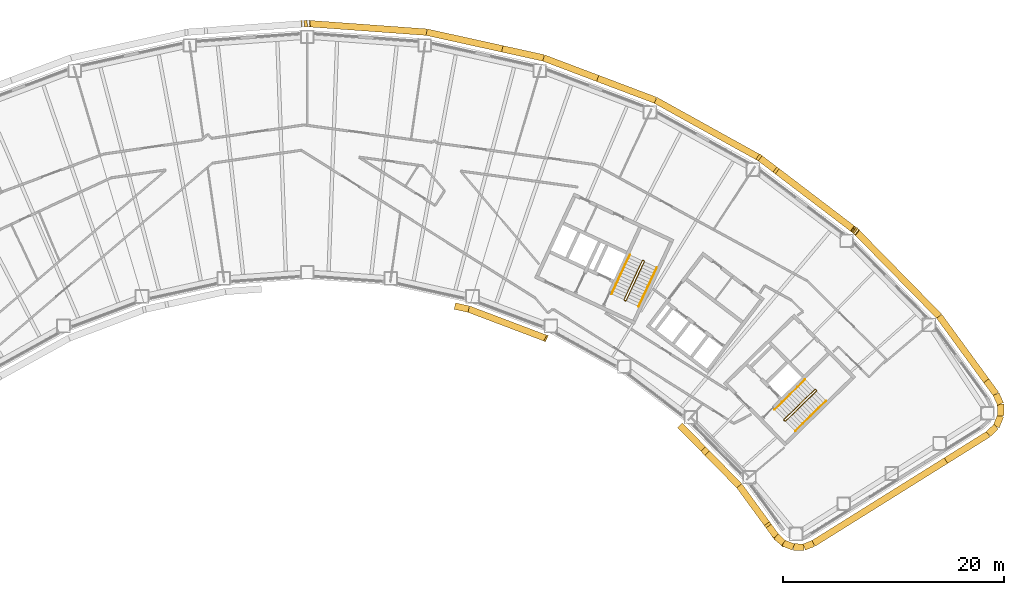
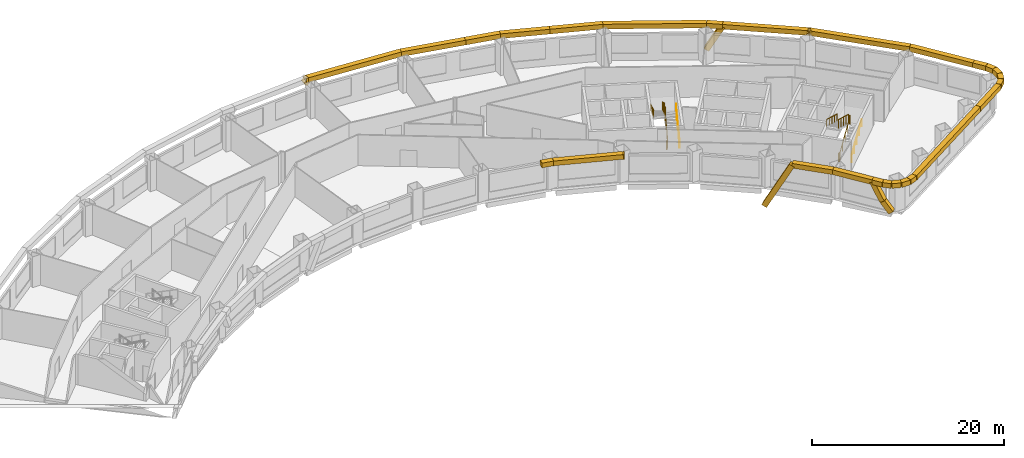
# One storey, part 10 of 10: 36 coverings, 6 railings.
"""IFC4 building model written with IfcOpenShell, lengths in metres."""

import ifcopenshell
import ifcopenshell.guid

model = None  # the IFC model being written
_history = None  # IfcOwnerHistory: only IFC2X3 demands one
_inside = {}  # id of a spatial element -> (the spatial element, [elements in it])
_under = {}  # id of a project, library or spatial element -> (it, [spatial elements below it])
_declared = {}  # id of a project -> (the project, [libraries it declares])
_typed = {}  # id of a type object -> (the type object, [elements of that type])
_made_of = {}  # id of a material, layer set ... -> (it, [elements and type objects made of it])


def new_model(schema):
    """Start an empty IFC model of exactly this schema.

    Asked for "IFC4X3", IfcOpenShell would pick the latest addendum, in which some entities
    have other attributes; the version numbers below select the first issue.
    IFC2X3 requires an IfcOwnerHistory on every rooted entity: one is made here for all.
    """
    global model, _history
    if schema == "IFC4X3":
        model = ifcopenshell.file(schema_version=(4, 3, 0, 0))
    else:
        model = ifcopenshell.file(schema=schema)
    _inside.clear()
    _under.clear()
    _declared.clear()
    _typed.clear()
    _made_of.clear()
    _history = None
    if model.schema == "IFC2X3":
        org = make("IfcOrganization", Name="unknown")
        user = make(
            "IfcPersonAndOrganization",
            ThePerson=make("IfcPerson", FamilyName="unknown"),
            TheOrganization=org,
        )
        app = make(
            "IfcApplication",
            ApplicationDeveloper=org,
            Version="unknown",
            ApplicationFullName="unknown",
            ApplicationIdentifier="unknown",
        )
        _history = make(
            "IfcOwnerHistory",
            OwningUser=user,
            OwningApplication=app,
            ChangeAction="ADDED",
            CreationDate=0,
        )
    return model


def make(cls, **values):
    """One entity of the class cls with the attributes given. An attribute that is None is left unset."""
    return model.create_entity(
        cls, **{name: value for name, value in values.items() if value is not None}
    )


def rooted(cls, **values):
    """An entity with a GlobalId (a new one), such as an element, a storey or a relation."""
    return make(cls, GlobalId=ifcopenshell.guid.new(), OwnerHistory=_history, **values)


def si_unit(unit_type, name, prefix=None):
    """IfcSIUnit, for example si_unit("LENGTHUNIT", "METRE", prefix="MILLI")."""
    return make("IfcSIUnit", UnitType=unit_type, Prefix=prefix, Name=name)


def assignment(units):
    """IfcUnitAssignment: the units of a project."""
    return None if units is None else make("IfcUnitAssignment", Units=units)


def point(xyz):
    """IfcCartesianPoint."""
    return None if xyz is None else make("IfcCartesianPoint", Coordinates=xyz)


def direction(xyz):
    """IfcDirection."""
    return None if xyz is None else make("IfcDirection", DirectionRatios=xyz)


def frame(location, z_axis=None, x_axis=None):
    """IfcAxis2Placement3D, a coordinate frame: its origin and axes. An axis left out is left unset."""
    return make(
        "IfcAxis2Placement3D",
        Location=point(location),
        Axis=direction(z_axis),
        RefDirection=direction(x_axis),
    )


def frame_2d(location, x_axis=None):
    """IfcAxis2Placement2D, a coordinate frame in the plane: its origin and x axis."""
    return make(
        "IfcAxis2Placement2D", Location=point(location), RefDirection=direction(x_axis)
    )


def origin():
    """The frame at (0, 0, 0) with its axes left unset."""
    return frame((0.0, 0.0, 0.0))


def origin_2d():
    """The frame at (0, 0) in the plane with its x axis left unset."""
    return frame_2d((0.0, 0.0))


def place(relative_to, where):
    """IfcLocalPlacement: puts the frame where relative to a parent placement (None: the world)."""
    return make(
        "IfcLocalPlacement", PlacementRelTo=relative_to, RelativePlacement=where
    )


def context(
    kind, dimensions, precision=None, world=None, true_north=None, identifier=None
):
    """IfcGeometricRepresentationContext, for example the 3D "Model" context."""
    return make(
        "IfcGeometricRepresentationContext",
        ContextIdentifier=identifier,
        ContextType=kind,
        CoordinateSpaceDimension=dimensions,
        Precision=precision,
        WorldCoordinateSystem=world,
        TrueNorth=true_north,
    )


def subcontext(parent, identifier, kind, view, scale=None):
    """IfcGeometricRepresentationSubContext, for example "Body" below "Model"."""
    return make(
        "IfcGeometricRepresentationSubContext",
        ContextIdentifier=identifier,
        ContextType=kind,
        ParentContext=parent,
        TargetScale=scale,
        TargetView=view,
    )


def project(units=None, contexts=None):
    """IfcProject with its units and contexts."""
    return rooted(
        "IfcProject",
        Name="project",
        RepresentationContexts=contexts,
        UnitsInContext=assignment(units),
    )


def spatial(cls, under=None, at=None, **own):
    """A site, building, storey or space (cls), placed at a placement, below another one or the project."""
    s = rooted(cls, ObjectPlacement=at, **own)
    if under is not None:
        _under.setdefault(under.id(), (under, []))[1].append(s)
    return s


def profile(cls, at=None, kind="AREA", **sizes):
    """A parametric profile (cls). Its sizes go by their IFC names, for example OverallWidth=200.0."""
    return make(cls, ProfileType=kind, Position=at, **sizes)


def rectangle(**sizes):
    """IfcRectangleProfileDef."""
    return profile("IfcRectangleProfileDef", **sizes)


def circle(**sizes):
    """IfcCircleProfileDef."""
    return profile("IfcCircleProfileDef", **sizes)


def extrude(swept, where, along, depth):
    """IfcExtrudedAreaSolid: the profile swept, set in the frame where, extruded along a direction by depth."""
    return make(
        "IfcExtrudedAreaSolid",
        SweptArea=swept,
        Position=where,
        ExtrudedDirection=direction(along),
        Depth=depth,
    )


def shape(context_of_items, identifier, shape_type, items):
    """IfcShapeRepresentation: the items that make up one representation, for example the "Body"."""
    return make(
        "IfcShapeRepresentation",
        ContextOfItems=context_of_items,
        RepresentationIdentifier=identifier,
        RepresentationType=shape_type,
        Items=items,
    )


def material(Name=None, Category=None):
    """IfcMaterial."""
    return make("IfcMaterial", Name=Name, Category=Category)


def material_profile(
    of_material, cross_section, Name=None, Category=None, Priority=None
):
    """IfcMaterialProfile: a cross section and its material."""
    return make(
        "IfcMaterialProfile",
        Name=Name,
        Material=of_material,
        Profile=cross_section,
        Priority=Priority,
        Category=Category,
    )


def profile_set(profiles, Name=None, composite=None):
    """IfcMaterialProfileSet."""
    return make(
        "IfcMaterialProfileSet",
        Name=Name,
        MaterialProfiles=profiles,
        CompositeProfile=composite,
    )


def made_of(thing, what):
    """Note that an element or type object is made of a material, layer set ...; save() writes the relation."""
    if what is not None:
        _made_of.setdefault(what.id(), (what, []))[1].append(thing)
    return thing


def type_object(cls, material=None, **own):
    """A type object (cls), such as IfcWallType, which elements share."""
    return made_of(rooted(cls, **own), material)


def element(
    cls,
    number,
    at=None,
    inside=None,
    cuts=None,
    type_object=None,
    material=None,
    context=None,
    identifier="Body",
    shape_type=None,
    held_by="IfcProductDefinitionShape",
    body=None,
    shapes=None,
    **own,
):
    """One element of the class cls, such as IfcWall. Its Tag is "e" and its number.

    at: its placement. inside: the storey or other place that contains it. cuts: it is an
    opening in that element (IfcRelVoidsElement). A single representation is given by context,
    identifier, shape_type and body (its items); several are given by shapes. held_by: the class
    of the entity that holds the representations. save() writes the other relations.
    """
    e = rooted(cls, Tag="e%d" % number, ObjectPlacement=at, **own)
    if body is not None:
        shapes = [shape(context, identifier, shape_type, body)]
    if shapes is not None:
        e.Representation = make(held_by, Representations=shapes)
    if inside is not None:
        _inside.setdefault(inside.id(), (inside, []))[1].append(e)
    if cuts is not None:
        rooted(
            "IfcRelVoidsElement", RelatingBuildingElement=cuts, RelatedOpeningElement=e
        )
    if type_object is not None:
        _typed.setdefault(type_object.id(), (type_object, []))[1].append(e)
    return made_of(e, material)


def aggregate(whole, parts):
    """IfcRelAggregates: a whole, such as a stair, and the parts it consists of."""
    return rooted("IfcRelAggregates", RelatingObject=whole, RelatedObjects=parts)


def save(model, path):
    """Write the relations noted so far, then the file.

    IfcRelAggregates (storeys below a building ...), IfcRelContainedInSpatialStructure (elements
    in a storey), IfcRelDefinesByType, IfcRelAssociatesMaterial and IfcRelDeclares: one each for
    every whole, place, type object, material and project.
    """
    for whole, parts in _under.values():
        aggregate(whole, parts)
    for where, things in _inside.values():
        rooted(
            "IfcRelContainedInSpatialStructure",
            RelatedElements=things,
            RelatingStructure=where,
        )
    for kind, things in _typed.values():
        rooted("IfcRelDefinesByType", RelatedObjects=things, RelatingType=kind)
    for what, things in _made_of.values():
        rooted("IfcRelAssociatesMaterial", RelatedObjects=things, RelatingMaterial=what)
    for by, libraries in _declared.values():
        rooted("IfcRelDeclares", RelatingContext=by, RelatedDefinitions=libraries)
    model.write(path)


model = new_model("IFC4")

# Units and contexts
model_context = context("Model", 3, precision=1e-05, world=origin(), true_north=direction((0.0, 1.0)))
body_context = subcontext(model_context, "Body", "Model", "MODEL_VIEW")
ifc_project = project(units=[si_unit("LENGTHUNIT", "METRE"), si_unit("AREAUNIT", "SQUARE_METRE"), si_unit("VOLUMEUNIT", "CUBIC_METRE"), si_unit("PLANEANGLEUNIT", "RADIAN"), si_unit("MASSUNIT", "GRAM", prefix="KILO")], contexts=[model_context])

# Site, building, storey
site_placement = place(None, origin())
site = spatial("IfcSite", under=ifc_project, at=site_placement, CompositionType="ELEMENT")
building_placement = place(site_placement, origin())
building = spatial("IfcBuilding", under=site, at=building_placement, Name="Tuul Gate Civic Tower", CompositionType="ELEMENT")
storey_placement = place(building_placement, frame((0.0, 0.0, 86.39990234375)))
storey = spatial("IfcBuildingStorey", under=building, at=storey_placement, Name="Level 19", CompositionType="ELEMENT", Elevation=86.39990234375)

# Railings
ifc_material_1 = material(Name="Painted steel", Category="steel")
railing_type_1 = type_object("IfcRailingType", Name="Stair guard", PredefinedType="GUARDRAIL", material=ifc_material_1)
railing_1_placement = place(storey_placement, frame((48.10546875, -16.134765625, 0.0)))
element("IfcRailing", 1, at=railing_1_placement, inside=storey, type_object=railing_type_1, Name="Level 19 ST-3 stair guard 1", PredefinedType="GUARDRAIL", context=body_context, shape_type="SweptSolid", body=[
    extrude(circle(Radius=0.02392578125, at=origin_2d()), frame((0.0, 0.0, 1.076171875), z_axis=(-0.698506948293, 0.715603272202, 0.0), x_axis=(-0.715603272202, -0.698506948293, 0.0)), (0.0, 0.0, 1.0), 0.099853515625),
    extrude(circle(Radius=0.02392578125, at=origin_2d()), frame((-0.06982421875, 0.071533203125, 1.076171875), z_axis=(0.644948864628, -0.331432055434, 0.688617277337), x_axis=(0.457068866502, 0.889431307788, 0.0)), (0.0, 0.0, 1.0), 0.218017578125),
    extrude(circle(Radius=0.02392578125, at=origin_2d()), frame((0.07080078125, -0.000732421875, 1.22607421875), z_axis=(0.638731261263, 0.626133563701, 0.447190268558), x_axis=(-0.700029477518, 0.714113947914, 0.0)), (0.0, 0.0, 1.0), 4.3603515625),
    extrude(circle(Radius=0.02392578125, at=origin_2d()), frame((2.85595703125, 2.7294921875, 3.17626953125), z_axis=(0.010380063588, 0.999946125689, 0.0), x_axis=(-0.999946125689, 0.010380063588, 0.0)), (0.0, 0.0, 1.0), 0.070556640625),
    extrude(circle(Radius=0.02392578125, at=origin_2d()), frame((2.856689453125, 2.800048828125, 3.17626953125), z_axis=(-0.699754442181, 0.714383454909, 0.0), x_axis=(-0.714383454909, -0.699754442181, 0.0)), (0.0, 0.0, 1.0), 0.10009765625),
    extrude(circle(Radius=0.02392578125, at=origin_2d()), frame((2.78662109375, 2.87158203125, 3.17626953125), z_axis=(-0.427069033481, 0.004417955519, 0.904208229508), x_axis=(-0.010344274102, -0.999946496565, 0.0)), (0.0, 0.0, 1.0), 0.165771484375),
    extrude(circle(Radius=0.02392578125, at=origin_2d()), frame((2.7158203125, 2.872314453125, 3.326171875), z_axis=(-0.638715268259, -0.626117886127, 0.447235059857), x_axis=(0.700029477518, -0.714113947914, 0.0)), (0.0, 0.0, 1.0), 4.360595703125),
    extrude(circle(Radius=0.02099609375, at=origin_2d()), origin(), (0.0, 0.0, 1.0), 1.052001953125),
    extrude(circle(Radius=0.02099609375, at=origin_2d()), frame((-0.06982421875, 0.071533203125, 0.0)), (0.0, 0.0, 1.0), 1.052001953125),
    extrude(circle(Radius=0.02099609375, at=origin_2d()), frame((0.07080078125, -0.000732421875, 0.150146484375)), (0.0, 0.0, 1.0), 1.052001953125),
    extrude(circle(Radius=0.02099609375, at=origin_2d()), frame((0.76708984375, 0.681884765625, 0.6376953125)), (0.0, 0.0, 1.0), 1.052001953125),
    extrude(circle(Radius=0.02099609375, at=origin_2d()), frame((1.46337890625, 1.3642578125, 1.125)), (0.0, 0.0, 1.0), 1.052001953125),
    extrude(circle(Radius=0.02099609375, at=origin_2d()), frame((2.15966796875, 2.046875, 1.612548828125)), (0.0, 0.0, 1.0), 1.052001953125),
    extrude(circle(Radius=0.02099609375, at=origin_2d()), frame((2.85595703125, 2.7294921875, 2.10009765625)), (0.0, 0.0, 1.0), 1.052001953125),
    extrude(circle(Radius=0.02099609375, at=origin_2d()), frame((2.856689453125, 2.800048828125, 2.10009765625)), (0.0, 0.0, 1.0), 1.052001953125),
    extrude(circle(Radius=0.02099609375, at=origin_2d()), frame((2.78662109375, 2.87158203125, 2.10009765625)), (0.0, 0.0, 1.0), 1.052001953125),
    extrude(circle(Radius=0.02099609375, at=origin_2d()), frame((2.7158203125, 2.872314453125, 2.25)), (0.0, 0.0, 1.0), 1.052001953125),
    extrude(circle(Radius=0.02099609375, at=origin_2d()), frame((2.01953125, 2.189697265625, 2.737548828125)), (0.0, 0.0, 1.0), 1.052001953125),
    extrude(circle(Radius=0.02099609375, at=origin_2d()), frame((1.3232421875, 1.50732421875, 3.22509765625)), (0.0, 0.0, 1.0), 1.052001953125),
    extrude(circle(Radius=0.02099609375, at=origin_2d()), frame((0.626953125, 0.82470703125, 3.712646484375)), (0.0, 0.0, 1.0), 1.052001953125),
    extrude(circle(Radius=0.02099609375, at=origin_2d()), frame((-0.0693359375, 0.14208984375, 4.2001953125)), (0.0, 0.0, 1.0), 1.052001953125),
])
railing_2_placement = place(storey_placement, frame((33.645751953125, -5.238525390625, 0.0)))
element("IfcRailing", 2, at=railing_2_placement, inside=storey, type_object=railing_type_1, Name="Level 19 ST-4 stair guard 1", PredefinedType="GUARDRAIL", context=body_context, shape_type="SweptSolid", body=[
    extrude(circle(Radius=0.02392578125, at=origin_2d()), frame((0.0, 0.0, 1.076171875), z_axis=(-0.906307919131, 0.422617978463, 0.0), x_axis=(-0.422617978463, -0.906307919131, 0.0)), (0.0, 0.0, 1.0), 0.099853515625),
    extrude(circle(Radius=0.02392578125, at=origin_2d()), frame((-0.090576171875, 0.042236328125, 1.076171875), z_axis=(0.720179819621, -0.082882280952, 0.688818956559), x_axis=(0.114330889033, 0.993442724979, 0.0)), (0.0, 0.0, 1.0), 0.218017578125),
    extrude(circle(Radius=0.02392578125, at=origin_2d()), frame((0.06640625, 0.024169921875, 1.22607421875), z_axis=(0.377946903738, 0.810654114417, 0.447209173356), x_axis=(-0.906336612539, 0.422556439746, 0.0)), (0.0, 0.0, 1.0), 4.3603515625),
    extrude(circle(Radius=0.02392578125, at=origin_2d()), frame((1.71435546875, 3.558837890625, 3.17626953125), z_axis=(-0.342020437038, 0.939692513883, 0.0), x_axis=(-0.939692513883, -0.342020437038, 0.0)), (0.0, 0.0, 1.0), 0.070556640625),
    extrude(circle(Radius=0.02392578125, at=origin_2d()), frame((1.690185546875, 3.625244140625, 3.17626953125), z_axis=(-0.906307919131, 0.422617978463, 0.0), x_axis=(-0.422617978463, -0.906307919131, 0.0)), (0.0, 0.0, 1.0), 0.099853515625),
    extrude(circle(Radius=0.02392578125, at=origin_2d()), frame((1.599609375, 3.66748046875, 3.17626953125), z_axis=(-0.40070210376, -0.145843780413, 0.904526072458), x_axis=(0.342020437038, -0.939692513883, 0.0)), (0.0, 0.0, 1.0), 0.165771484375),
    extrude(circle(Radius=0.02392578125, at=origin_2d()), frame((1.533203125, 3.643310546875, 3.326171875), z_axis=(-0.377937439636, -0.810633814971, 0.447253965602), x_axis=(0.906336612539, -0.422556439746, 0.0)), (0.0, 0.0, 1.0), 4.3603515625),
    extrude(circle(Radius=0.02099609375, at=origin_2d()), origin(), (0.0, 0.0, 1.0), 1.052001953125),
    extrude(circle(Radius=0.02099609375, at=origin_2d()), frame((-0.090576171875, 0.042236328125, 0.0)), (0.0, 0.0, 1.0), 1.052001953125),
    extrude(circle(Radius=0.02099609375, at=origin_2d()), frame((0.06640625, 0.024169921875, 0.150146484375)), (0.0, 0.0, 1.0), 1.052001953125),
    extrude(circle(Radius=0.02099609375, at=origin_2d()), frame((0.478515625, 0.90771484375, 0.6376953125)), (0.0, 0.0, 1.0), 1.052001953125),
    extrude(circle(Radius=0.02099609375, at=origin_2d()), frame((0.890380859375, 1.79150390625, 1.125)), (0.0, 0.0, 1.0), 1.052001953125),
    extrude(circle(Radius=0.02099609375, at=origin_2d()), frame((1.30224609375, 2.67529296875, 1.612548828125)), (0.0, 0.0, 1.0), 1.052001953125),
    extrude(circle(Radius=0.02099609375, at=origin_2d()), frame((1.71435546875, 3.558837890625, 2.10009765625)), (0.0, 0.0, 1.0), 1.052001953125),
    extrude(circle(Radius=0.02099609375, at=origin_2d()), frame((1.690185546875, 3.625244140625, 2.10009765625)), (0.0, 0.0, 1.0), 1.052001953125),
    extrude(circle(Radius=0.02099609375, at=origin_2d()), frame((1.599609375, 3.66748046875, 2.10009765625)), (0.0, 0.0, 1.0), 1.052001953125),
    extrude(circle(Radius=0.02099609375, at=origin_2d()), frame((1.533203125, 3.643310546875, 2.25)), (0.0, 0.0, 1.0), 1.052001953125),
    extrude(circle(Radius=0.02099609375, at=origin_2d()), frame((1.12109375, 2.759765625, 2.737548828125)), (0.0, 0.0, 1.0), 1.052001953125),
    extrude(circle(Radius=0.02099609375, at=origin_2d()), frame((0.709228515625, 1.8759765625, 3.22509765625)), (0.0, 0.0, 1.0), 1.052001953125),
    extrude(circle(Radius=0.02099609375, at=origin_2d()), frame((0.29736328125, 0.9921875, 3.712646484375)), (0.0, 0.0, 1.0), 1.052001953125),
    extrude(circle(Radius=0.02099609375, at=origin_2d()), frame((-0.11474609375, 0.108642578125, 4.2001953125)), (0.0, 0.0, 1.0), 1.052001953125),
])
ifc_material_2 = material(Name="Painted steel", Category="steel")
railing_type_2 = type_object("IfcRailingType", Name="Stair handrail", PredefinedType="HANDRAIL", material=ifc_material_2)
railing_3_placement = place(storey_placement, frame((49.05126953125, -17.028076171875, 0.150146484375)))
element("IfcRailing", 3, at=railing_3_placement, inside=storey, type_object=railing_type_2, Name="Level 19 ST-3 stair handrail 1", PredefinedType="HANDRAIL", context=body_context, shape_type="SweptSolid", body=[
    extrude(circle(Radius=0.02392578125, at=origin_2d()), frame((0.0, 0.0, 0.8759765625), z_axis=(0.638753653487, 0.626099522554, 0.447205945863), x_axis=(-0.699997553204, 0.714145241186, 0.0)), (0.0, 0.0, 1.0), 4.3603515625),
    extrude(circle(Radius=0.02099609375, at=origin_2d()), origin(), (0.0, 0.0, 1.0), 0.851806640625),
    extrude(circle(Radius=0.02099609375, at=origin_2d()), frame((0.6962890625, 0.6826171875, 0.487548828125)), (0.0, 0.0, 1.0), 0.851806640625),
    extrude(circle(Radius=0.02099609375, at=origin_2d()), frame((1.392578125, 1.364990234375, 0.97509765625)), (0.0, 0.0, 1.0), 0.851806640625),
    extrude(circle(Radius=0.02099609375, at=origin_2d()), frame((2.0888671875, 2.04736328125, 1.46240234375)), (0.0, 0.0, 1.0), 0.851806640625),
    extrude(circle(Radius=0.02099609375, at=origin_2d()), frame((2.78515625, 2.72998046875, 1.949951171875)), (0.0, 0.0, 1.0), 0.851806640625),
])
railing_4_placement = place(storey_placement, frame((49.9462890625, -12.369873046875, 2.25)))
element("IfcRailing", 4, at=railing_4_placement, inside=storey, type_object=railing_type_2, Name="Level 19 ST-3 stair handrail 2", PredefinedType="HANDRAIL", context=body_context, shape_type="SweptSolid", body=[
    extrude(circle(Radius=0.02392578125, at=origin_2d()), frame((0.0, 0.0, 0.8759765625), z_axis=(-0.638737658801, -0.626083844733, 0.447250737947), x_axis=(0.699997553204, -0.714145241186, 0.0)), (0.0, 0.0, 1.0), 4.3603515625),
    extrude(circle(Radius=0.02099609375, at=origin_2d()), origin(), (0.0, 0.0, 1.0), 0.851806640625),
    extrude(circle(Radius=0.02099609375, at=origin_2d()), frame((-0.6962890625, -0.6826171875, 0.487548828125)), (0.0, 0.0, 1.0), 0.851806640625),
    extrude(circle(Radius=0.02099609375, at=origin_2d()), frame((-1.392578125, -1.364990234375, 0.97509765625)), (0.0, 0.0, 1.0), 0.851806640625),
    extrude(circle(Radius=0.02099609375, at=origin_2d()), frame((-2.0888671875, -2.04736328125, 1.462646484375)), (0.0, 0.0, 1.0), 0.851806640625),
    extrude(circle(Radius=0.02099609375, at=origin_2d()), frame((-2.78515625, -2.72998046875, 1.9501953125)), (0.0, 0.0, 1.0), 0.851806640625),
])
railing_5_placement = place(storey_placement, frame((34.844970703125, -5.74267578125, 0.150146484375)))
element("IfcRailing", 5, at=railing_5_placement, inside=storey, type_object=railing_type_2, Name="Level 19 ST-4 stair handrail 1", PredefinedType="HANDRAIL", context=body_context, shape_type="SweptSolid", body=[
    extrude(circle(Radius=0.02392578125, at=origin_2d()), frame((0.0, 0.0, 0.8759765625), z_axis=(0.377994896215, 0.810636958585, 0.447199709091), x_axis=(-0.906312636903, 0.422607861012, 0.0)), (0.0, 0.0, 1.0), 4.3603515625),
    extrude(circle(Radius=0.02099609375, at=origin_2d()), origin(), (0.0, 0.0, 1.0), 0.851806640625),
    extrude(circle(Radius=0.02099609375, at=origin_2d()), frame((0.412109375, 0.8837890625, 0.487548828125)), (0.0, 0.0, 1.0), 0.851806640625),
    extrude(circle(Radius=0.02099609375, at=origin_2d()), frame((0.82421875, 1.767333984375, 0.97509765625)), (0.0, 0.0, 1.0), 0.851806640625),
    extrude(circle(Radius=0.02099609375, at=origin_2d()), frame((1.236083984375, 2.65087890625, 1.46240234375)), (0.0, 0.0, 1.0), 0.851806640625),
    extrude(circle(Radius=0.02099609375, at=origin_2d()), frame((1.648193359375, 3.53466796875, 1.949951171875)), (0.0, 0.0, 1.0), 0.851806640625),
])
railing_6_placement = place(storey_placement, frame((34.046142578125, -1.06689453125, 2.25)))
element("IfcRailing", 6, at=railing_6_placement, inside=storey, type_object=railing_type_2, Name="Level 19 ST-4 stair handrail 2", PredefinedType="HANDRAIL", context=body_context, shape_type="SweptSolid", body=[
    extrude(circle(Radius=0.02392578125, at=origin_2d()), frame((0.0, 0.0, 0.8759765625), z_axis=(-0.377985431313, -0.810616660428, 0.447244500863), x_axis=(0.906312636903, -0.422607861012, 0.0)), (0.0, 0.0, 1.0), 4.3603515625),
    extrude(circle(Radius=0.02099609375, at=origin_2d()), origin(), (0.0, 0.0, 1.0), 0.851806640625),
    extrude(circle(Radius=0.02099609375, at=origin_2d()), frame((-0.412109375, -0.8837890625, 0.487548828125)), (0.0, 0.0, 1.0), 0.851806640625),
    extrude(circle(Radius=0.02099609375, at=origin_2d()), frame((-0.82421875, -1.767333984375, 0.97509765625)), (0.0, 0.0, 1.0), 0.851806640625),
    extrude(circle(Radius=0.02099609375, at=origin_2d()), frame((-1.236083984375, -2.65087890625, 1.462646484375)), (0.0, 0.0, 1.0), 0.851806640625),
    extrude(circle(Radius=0.02099609375, at=origin_2d()), frame((-1.648193359375, -3.53466796875, 1.9501953125)), (0.0, 0.0, 1.0), 0.851806640625),
])

# Coverings
ifc_material_3 = material(Name="Terracotta baguette", Category="masonry")
ifc_material_profile = material_profile(ifc_material_3, rectangle(XDim=0.60009765625, YDim=0.60009765625, at=origin_2d()), Name="Terracotta baguette screen frame")
ifc_profile_set = profile_set([ifc_material_profile], Name="Terracotta baguette")
covering_type = type_object("IfcCoveringType", Name="Terracotta baguette screen frame", PredefinedType="CLADDING", material=ifc_profile_set)
covering_1_placement = place(storey_placement, frame((62.709228515625, -19.71875, 3.85009765625), z_axis=(0.848058898511, 0.529901976461, 0.0), x_axis=(-0.529901976461, 0.848058898511, 0.0)))
element("IfcCovering", 7, at=covering_1_placement, inside=storey, type_object=covering_type, Name="Baguette 11", PredefinedType="CLADDING", context=body_context, shape_type="SweptSolid", body=[
    extrude(rectangle(XDim=0.60009765625, YDim=0.60009765625, at=origin_2d()), origin(), (0.0, 0.0, 1.0), 4.526611328125),
])
covering_2_placement = place(storey_placement, frame((66.548095703125, -17.320068359375, 3.85009765625), z_axis=(0.722137314744, 0.691749737011, 0.0), x_axis=(-0.691749737011, 0.722137314744, 0.0)))
element("IfcCovering", 8, at=covering_2_placement, inside=storey, type_object=covering_type, Name="Baguette 12", PredefinedType="CLADDING", context=body_context, shape_type="SweptSolid", body=[
    extrude(rectangle(XDim=0.60009765625, YDim=0.60009765625, at=origin_2d()), origin(), (0.0, 0.0, 1.0), 0.98828125),
])
covering_3_placement = place(storey_placement, frame((67.26171875, -16.636474609375, 3.85009765625), z_axis=(0.385590096332, 0.922670188968, 0.0), x_axis=(-0.922670188968, 0.385590096332, 0.0)))
element("IfcCovering", 9, at=covering_3_placement, inside=storey, type_object=covering_type, Name="Baguette 13", PredefinedType="CLADDING", context=body_context, shape_type="SweptSolid", body=[
    extrude(rectangle(XDim=0.60009765625, YDim=0.60009765625, at=origin_2d()), origin(), (0.0, 0.0, 1.0), 1.06689453125),
])
covering_4_placement = place(storey_placement, frame((67.673095703125, -15.652099609375, 3.85009765625), z_axis=(-0.014411680901, 0.999896146334, 0.0), x_axis=(-0.999896146334, -0.014411680901, 0.0)))
element("IfcCovering", 10, at=covering_4_placement, inside=storey, type_object=covering_type, Name="Baguette 14", PredefinedType="CLADDING", context=body_context, shape_type="SweptSolid", body=[
    extrude(rectangle(XDim=0.60009765625, YDim=0.60009765625, at=origin_2d()), origin(), (0.0, 0.0, 1.0), 1.067138671875),
])
covering_5_placement = place(storey_placement, frame((67.65771484375, -14.5849609375, 3.85009765625), z_axis=(-0.412573349968, 0.910924382644, 0.0), x_axis=(-0.910924382644, -0.412573349968, 0.0)))
element("IfcCovering", 11, at=covering_5_placement, inside=storey, type_object=covering_type, Name="Baguette 15", PredefinedType="CLADDING", context=body_context, shape_type="SweptSolid", body=[
    extrude(rectangle(XDim=0.60009765625, YDim=0.60009765625, at=origin_2d()), origin(), (0.0, 0.0, 1.0), 0.987548828125),
])
covering_6_placement = place(storey_placement, frame((67.250244140625, -13.685302734375, 3.85009765625), z_axis=(-0.589762746012, 0.807576561953, 0.0), x_axis=(-0.807576561953, -0.589762746012, 0.0)))
element("IfcCovering", 12, at=covering_6_placement, inside=storey, type_object=covering_type, Name="Baguette 16", PredefinedType="CLADDING", context=body_context, shape_type="SweptSolid", body=[
    extrude(rectangle(XDim=0.60009765625, YDim=0.60009765625, at=origin_2d()), origin(), (0.0, 0.0, 1.0), 1.4951171875),
])
covering_7_placement = place(storey_placement, frame((54.501708984375, 1.117919921875, 3.93359375), z_axis=(-0.585145868857, 0.444314151268, -0.678372498811), x_axis=(-0.604740952952, -0.796422237147, 0.0)))
element("IfcCovering", 13, at=covering_7_placement, inside=storey, type_object=covering_type, Name="Baguette 30", PredefinedType="CLADDING", context=body_context, shape_type="SweptSolid", body=[
    extrude(rectangle(XDim=0.60009765625, YDim=0.60009765625, at=origin_2d()), origin(), (0.0, 0.0, 1.0), 0.123046875),
])
covering_8_placement = place(storey_placement, frame((54.4296875, 1.172607421875, 3.85009765625), z_axis=(0.378820182933, -0.287646511787, -0.879633306133), x_axis=(0.604740952952, 0.796422237147, 0.0)))
element("IfcCovering", 14, at=covering_8_placement, inside=storey, type_object=covering_type, Name="Baguette 34", PredefinedType="CLADDING", context=body_context, shape_type="SweptSolid", body=[
    extrude(rectangle(XDim=0.60009765625, YDim=0.60009765625, at=origin_2d()), origin(), (0.0, 0.0, 1.0), 0.190185546875),
])
covering_9_placement = place(storey_placement, frame((54.4296875, 1.172607421875, 3.85009765625), z_axis=(-0.795609596357, 0.605809681488, 0.0), x_axis=(-0.605809681488, -0.795609596357, 0.0)))
element("IfcCovering", 15, at=covering_9_placement, inside=storey, type_object=covering_type, Name="Baguette 36", PredefinedType="CLADDING", context=body_context, shape_type="SweptSolid", body=[
    extrude(rectangle(XDim=0.60009765625, YDim=0.60009765625, at=origin_2d()), origin(), (0.0, 0.0, 1.0), 9.072265625),
])
covering_10_placement = place(storey_placement, frame((47.211669921875, 6.668701171875, 3.85009765625), z_axis=(-0.378051059001, 0.287849161769, -0.879897867288), x_axis=(-0.605790532559, -0.795624176771, 0.0)))
element("IfcCovering", 16, at=covering_10_placement, inside=storey, type_object=covering_type, Name="Baguette 41", PredefinedType="CLADDING", context=body_context, shape_type="SweptSolid", body=[
    extrude(rectangle(XDim=0.60009765625, YDim=0.60009765625, at=origin_2d()), origin(), (0.0, 0.0, 1.0), 3.5537109375),
])
covering_11_placement = place(storey_placement, frame((31.135009765625, 14.935302734375, 3.85009765625), z_axis=(-0.935352024444, 0.353718235845, 0.0), x_axis=(-0.353718235845, -0.935352024444, 0.0)))
element("IfcCovering", 17, at=covering_11_placement, inside=storey, type_object=covering_type, Name="Baguette 57", PredefinedType="CLADDING", context=body_context, shape_type="SweptSolid", body=[
    extrude(rectangle(XDim=0.60009765625, YDim=0.60009765625, at=origin_2d()), origin(), (0.0, 0.0, 1.0), 5.24560546875),
])
covering_12_placement = place(storey_placement, frame((26.228515625, 16.790771484375, 3.85009765625), z_axis=(-0.9765742669, 0.215180624657, 0.0), x_axis=(-0.215180624657, -0.9765742669, 0.0)))
element("IfcCovering", 18, at=covering_12_placement, inside=storey, type_object=covering_type, Name="Baguette 58", PredefinedType="CLADDING", context=body_context, shape_type="SweptSolid", body=[
    extrude(rectangle(XDim=0.60009765625, YDim=0.60009765625, at=origin_2d()), origin(), (0.0, 0.0, 1.0), 3.826904296875),
])
covering_13_placement = place(storey_placement, frame((4.5400390625, 19.890625, 3.85009765625), z_axis=(0.474210066164, 0.034118939187, -0.879750368649), x_axis=(-0.071763490411, 0.997421676847, 0.0)))
element("IfcCovering", 19, at=covering_13_placement, inside=storey, type_object=covering_type, Name="Baguette 76", PredefinedType="CLADDING", context=body_context, shape_type="SweptSolid", body=[
    extrude(rectangle(XDim=0.60009765625, YDim=0.60009765625, at=origin_2d()), origin(), (0.0, 0.0, 1.0), 0.565185546875),
])
covering_14_placement = place(storey_placement, frame((18.185546875, -5.705810546875, 3.85009765625), z_axis=(0.976558162371, -0.215253700333, 0.0), x_axis=(0.215253700333, 0.976558162371, 0.0)))
element("IfcCovering", 20, at=covering_14_placement, inside=storey, type_object=covering_type, Name="Baguette 233", PredefinedType="CLADDING", context=body_context, shape_type="SweptSolid", body=[
    extrude(rectangle(XDim=0.60009765625, YDim=0.60009765625, at=origin_2d()), origin(), (0.0, 0.0, 1.0), 1.295166015625),
])
covering_15_placement = place(storey_placement, frame((19.450439453125, -5.984619140625, 3.85009765625), z_axis=(0.935357193845, -0.353704565878, 0.0), x_axis=(0.353704565878, 0.935357193845, 0.0)))
element("IfcCovering", 21, at=covering_15_placement, inside=storey, type_object=covering_type, Name="Baguette 234", PredefinedType="CLADDING", context=body_context, shape_type="SweptSolid", body=[
    extrude(rectangle(XDim=0.60009765625, YDim=0.60009765625, at=origin_2d()), origin(), (0.0, 0.0, 1.0), 7.41796875),
])
covering_16_placement = place(storey_placement, frame((26.388916015625, -8.6083984375, 3.85009765625), z_axis=(0.874986439638, -0.484147426359, 0.0), x_axis=(0.484147426359, 0.874986439638, 0.0)))
element("IfcCovering", 22, at=covering_16_placement, inside=storey, type_object=covering_type, Name="Baguette 235", PredefinedType="CLADDING", context=body_context, shape_type="SweptSolid", body=[
    extrude(rectangle(XDim=0.60009765625, YDim=0.60009765625, at=origin_2d()), origin(), (0.0, 0.0, 1.0), 0.138671875),
])
covering_17_placement = place(storey_placement, frame((40.88330078125, -18.845703125, 3.85009765625), z_axis=(-0.326365350275, 0.332876002124, -0.884691599005), x_axis=(-0.714055329058, -0.700089270768, 0.0)))
element("IfcCovering", 23, at=covering_17_placement, inside=storey, type_object=covering_type, Name="Baguette 254", PredefinedType="CLADDING", context=body_context, shape_type="SweptSolid", body=[
    extrude(rectangle(XDim=0.60009765625, YDim=0.60009765625, at=origin_2d()), origin(), (0.0, 0.0, 1.0), 6.44970703125),
])
covering_18_placement = place(storey_placement, frame((40.88330078125, -18.845703125, 3.85009765625), z_axis=(0.700098525689, -0.714046255034, 0.0), x_axis=(0.714046255034, 0.700098525689, 0.0)))
element("IfcCovering", 24, at=covering_18_placement, inside=storey, type_object=covering_type, Name="Baguette 256", PredefinedType="CLADDING", context=body_context, shape_type="SweptSolid", body=[
    extrude(rectangle(XDim=0.60009765625, YDim=0.60009765625, at=origin_2d()), origin(), (0.0, 0.0, 1.0), 4.410888671875),
])
covering_19_placement = place(storey_placement, frame((43.971435546875, -21.995361328125, 3.85009765625), z_axis=(0.589872992761, -0.807496038635, 0.0), x_axis=(0.807496038635, 0.589872992761, 0.0)))
element("IfcCovering", 25, at=covering_19_placement, inside=storey, type_object=covering_type, Name="Baguette 257", PredefinedType="CLADDING", context=body_context, shape_type="SweptSolid", body=[
    extrude(rectangle(XDim=0.60009765625, YDim=0.60009765625, at=origin_2d()), origin(), (0.0, 0.0, 1.0), 4.518798828125),
])
covering_20_placement = place(storey_placement, frame((46.636962890625, -25.644287109375, 3.85009765625), z_axis=(0.278672749834, -0.381536515302, -0.881346348487), x_axis=(0.807534670748, 0.589820104388, 0.0)))
element("IfcCovering", 26, at=covering_20_placement, inside=storey, type_object=covering_type, Name="Baguette 270", PredefinedType="CLADDING", context=body_context, shape_type="SweptSolid", body=[
    extrude(rectangle(XDim=0.60009765625, YDim=0.60009765625, at=origin_2d()), origin(), (0.0, 0.0, 1.0), 2.43994140625),
])
covering_21_placement = place(storey_placement, frame((47.31689453125, -26.5751953125, 1.69970703125), z_axis=(0.418337865428, -0.391793978605, -0.819445488533), x_axis=(0.68357167815, 0.729883388516, 0.0)))
element("IfcCovering", 27, at=covering_21_placement, inside=storey, type_object=covering_type, Name="Baguette 271", PredefinedType="CLADDING", context=body_context, shape_type="SweptSolid", body=[
    extrude(rectangle(XDim=0.60009765625, YDim=0.60009765625, at=origin_2d()), origin(), (0.0, 0.0, 1.0), 1.57275390625),
])
covering_22_placement = place(storey_placement, frame((66.368408203125, -12.477783203125, 3.85009765625), z_axis=(-0.589836504593, 0.807522691848, 0.0), x_axis=(-0.807522691848, -0.589836504593, 0.0)))
element("IfcCovering", 28, at=covering_22_placement, inside=storey, type_object=covering_type, Name="Baguette 288", PredefinedType="CLADDING", context=body_context, shape_type="SweptSolid", body=[
    extrude(rectangle(XDim=0.60009765625, YDim=0.60009765625, at=origin_2d()), origin(), (0.0, 0.0, 1.0), 7.240478515625),
])
covering_23_placement = place(storey_placement, frame((62.09765625, -6.630859375, 3.85009765625), z_axis=(-0.70002934375, 0.714114079044, 0.0), x_axis=(-0.714114079044, -0.70002934375, 0.0)))
element("IfcCovering", 29, at=covering_23_placement, inside=storey, type_object=covering_type, Name="Baguette 289", PredefinedType="CLADDING", context=body_context, shape_type="SweptSolid", body=[
    extrude(rectangle(XDim=0.60009765625, YDim=0.60009765625, at=origin_2d()), origin(), (0.0, 0.0, 1.0), 10.850830078125),
])
covering_24_placement = place(storey_placement, frame((54.501708984375, 1.117919921875, 3.85009765625), z_axis=(-0.796422237147, 0.604740952952, 0.0), x_axis=(-0.604740952952, -0.796422237147, 0.0)))
element("IfcCovering", 30, at=covering_24_placement, inside=storey, type_object=covering_type, Name="Baguette 290", PredefinedType="CLADDING", context=body_context, shape_type="SweptSolid", body=[
    extrude(rectangle(XDim=0.60009765625, YDim=0.60009765625, at=origin_2d()), origin(), (0.0, 0.0, 1.0), 0.09033203125),
])
covering_25_placement = place(storey_placement, frame((47.211669921875, 6.668701171875, 3.85009765625), z_axis=(-0.795624176771, 0.605790532559, 0.0), x_axis=(-0.605790532559, -0.795624176771, 0.0)))
element("IfcCovering", 31, at=covering_25_placement, inside=storey, type_object=covering_type, Name="Baguette 291", PredefinedType="CLADDING", context=body_context, shape_type="SweptSolid", body=[
    extrude(rectangle(XDim=0.60009765625, YDim=0.60009765625, at=origin_2d()), origin(), (0.0, 0.0, 1.0), 1.688720703125),
])
covering_26_placement = place(storey_placement, frame((45.8681640625, 7.691650390625, 3.85009765625), z_axis=(-0.87460584557, 0.484834626337, 0.0), x_axis=(-0.484834626337, -0.87460584557, 0.0)))
element("IfcCovering", 32, at=covering_26_placement, inside=storey, type_object=covering_type, Name="Baguette 292", PredefinedType="CLADDING", context=body_context, shape_type="SweptSolid", body=[
    extrude(rectangle(XDim=0.60009765625, YDim=0.60009765625, at=origin_2d()), origin(), (0.0, 0.0, 1.0), 10.8505859375),
])
covering_27_placement = place(storey_placement, frame((36.378173828125, 12.952392578125, 3.85009765625), z_axis=(-0.935344686457, 0.353737639384, 0.0), x_axis=(-0.353737639384, -0.935344686457, 0.0)))
element("IfcCovering", 33, at=covering_27_placement, inside=storey, type_object=covering_type, Name="Baguette 293", PredefinedType="CLADDING", context=body_context, shape_type="SweptSolid", body=[
    extrude(rectangle(XDim=0.60009765625, YDim=0.60009765625, at=origin_2d()), origin(), (0.0, 0.0, 1.0), 5.605712890625),
])
covering_28_placement = place(storey_placement, frame((22.4912109375, 17.6142578125, 3.85009765625), z_axis=(-0.976560958576, 0.215241014181, 0.0), x_axis=(-0.215241014181, -0.976560958576, 0.0)))
element("IfcCovering", 34, at=covering_28_placement, inside=storey, type_object=covering_type, Name="Baguette 296", PredefinedType="CLADDING", context=body_context, shape_type="SweptSolid", body=[
    extrude(rectangle(XDim=0.60009765625, YDim=0.60009765625, at=origin_2d()), origin(), (0.0, 0.0, 1.0), 7.0244140625),
])
covering_29_placement = place(storey_placement, frame((15.63134765625, 19.126220703125, 3.85009765625), z_axis=(-0.997388790163, 0.072219119743, 0.0), x_axis=(-0.072219119743, -0.997388790163, 0.0)))
element("IfcCovering", 35, at=covering_29_placement, inside=storey, type_object=covering_type, Name="Baguette 297", PredefinedType="CLADDING", context=body_context, shape_type="SweptSolid", body=[
    extrude(rectangle(XDim=0.60009765625, YDim=0.60009765625, at=origin_2d()), origin(), (0.0, 0.0, 1.0), 10.8515625),
])
covering_30_placement = place(storey_placement, frame((4.80810546875, 19.909912109375, 3.85009765625), z_axis=(-0.997421676847, -0.071763490411, 0.0), x_axis=(0.071763490411, -0.997421676847, 0.0)))
element("IfcCovering", 36, at=covering_30_placement, inside=storey, type_object=covering_type, Name="Baguette 298", PredefinedType="CLADDING", context=body_context, shape_type="SweptSolid", body=[
    extrude(rectangle(XDim=0.60009765625, YDim=0.60009765625, at=origin_2d()), origin(), (0.0, 0.0, 1.0), 0.268798828125),
])
covering_31_placement = place(storey_placement, frame((46.636962890625, -25.644287109375, 3.85009765625), z_axis=(0.589820104388, -0.807534670748, 0.0), x_axis=(0.807534670748, 0.589820104388, 0.0)))
element("IfcCovering", 37, at=covering_31_placement, inside=storey, type_object=covering_type, Name="Baguette 365", PredefinedType="CLADDING", context=body_context, shape_type="SweptSolid", body=[
    extrude(rectangle(XDim=0.60009765625, YDim=0.60009765625, at=origin_2d()), origin(), (0.0, 0.0, 1.0), 1.15283203125),
])
covering_32_placement = place(storey_placement, frame((47.31689453125, -26.5751953125, 3.85009765625), z_axis=(0.729883388516, -0.68357167815, 0.0), x_axis=(0.68357167815, 0.729883388516, 0.0)))
element("IfcCovering", 38, at=covering_32_placement, inside=storey, type_object=covering_type, Name="Baguette 366", PredefinedType="CLADDING", context=body_context, shape_type="SweptSolid", body=[
    extrude(rectangle(XDim=0.60009765625, YDim=0.60009765625, at=origin_2d()), origin(), (0.0, 0.0, 1.0), 0.9013671875),
])
covering_33_placement = place(storey_placement, frame((47.974853515625, -27.19140625, 3.85009765625), z_axis=(0.929012088732, -0.370049373719, 0.0), x_axis=(0.370049373719, 0.929012088732, 0.0)))
element("IfcCovering", 39, at=covering_33_placement, inside=storey, type_object=covering_type, Name="Baguette 367", PredefinedType="CLADDING", context=body_context, shape_type="SweptSolid", body=[
    extrude(rectangle(XDim=0.60009765625, YDim=0.60009765625, at=origin_2d()), origin(), (0.0, 0.0, 1.0), 0.97314453125),
])
covering_34_placement = place(storey_placement, frame((48.87890625, -27.551513671875, 3.85009765625), z_axis=(0.999995475178, -0.003008259138, 0.0), x_axis=(0.003008259138, 0.999995475178, 0.0)))
element("IfcCovering", 40, at=covering_34_placement, inside=storey, type_object=covering_type, Name="Baguette 368", PredefinedType="CLADDING", context=body_context, shape_type="SweptSolid", body=[
    extrude(rectangle(XDim=0.60009765625, YDim=0.60009765625, at=origin_2d()), origin(), (0.0, 0.0, 1.0), 0.973876953125),
])
covering_35_placement = place(storey_placement, frame((49.852783203125, -27.554443359375, 3.85009765625), z_axis=(0.931801188997, 0.362969067807, 0.0), x_axis=(-0.362969067807, 0.931801188997, 0.0)))
element("IfcCovering", 41, at=covering_35_placement, inside=storey, type_object=covering_type, Name="Baguette 369", PredefinedType="CLADDING", context=body_context, shape_type="SweptSolid", body=[
    extrude(rectangle(XDim=0.60009765625, YDim=0.60009765625, at=origin_2d()), origin(), (0.0, 0.0, 1.0), 0.9013671875),
])
covering_36_placement = place(storey_placement, frame((50.692626953125, -27.227294921875, 3.85009765625), z_axis=(0.848056377276, 0.529906011441, 0.0), x_axis=(-0.529906011441, 0.848056377276, 0.0)))
element("IfcCovering", 42, at=covering_36_placement, inside=storey, type_object=covering_type, Name="Baguette 370", PredefinedType="CLADDING", context=body_context, shape_type="SweptSolid", body=[
    extrude(rectangle(XDim=0.60009765625, YDim=0.60009765625, at=origin_2d()), origin(), (0.0, 0.0, 1.0), 14.169677734375),
])

save(model, "model.ifc")
